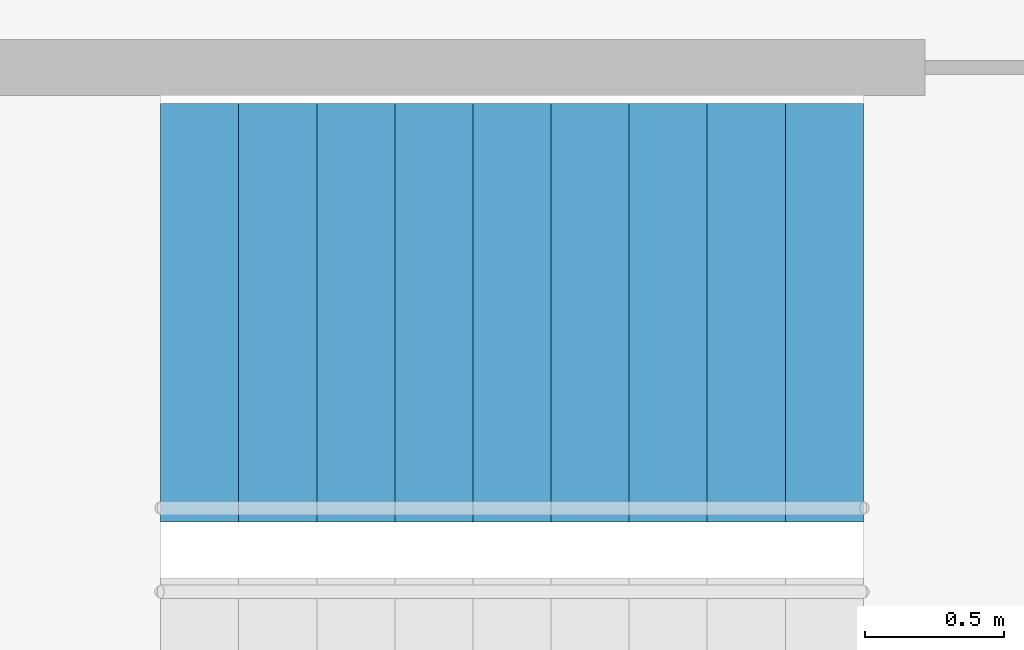
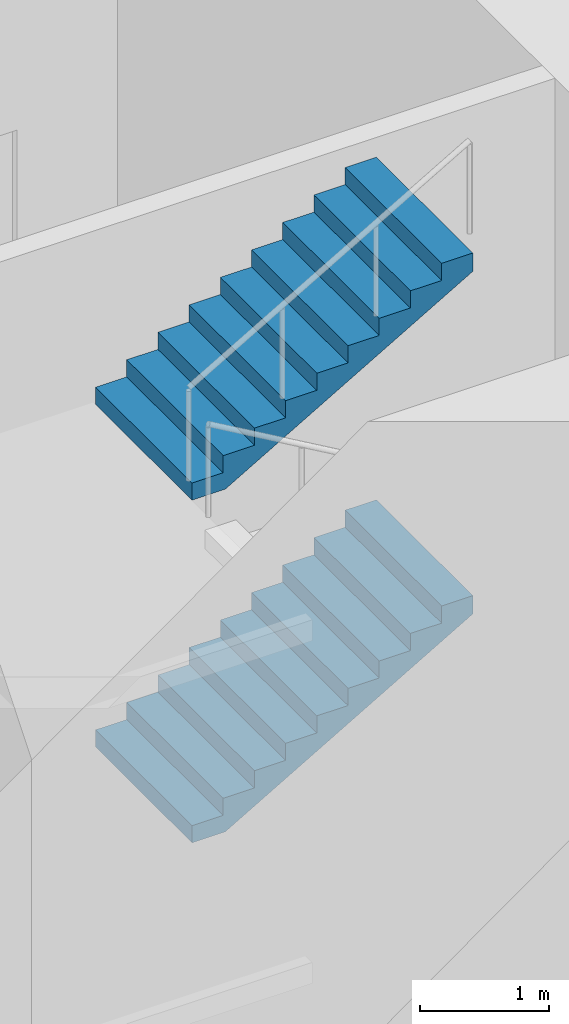
# One storey, part 28 of 47: 2 stair flights, 1 element without a shape of its own.
"""IFC4 building model written with IfcOpenShell, lengths in metres."""

from ifc_helpers import new_model, si_unit, direction, frame, origin, place, context, subcontext, project, spatial, triangles, material, type_object, element, aggregate, save


model = new_model("IFC4")

# Units and contexts
model_context = context("Model", 3, precision=1e-05, world=origin(), true_north=direction((0.0, 1.0)))
body_context = subcontext(model_context, "Body", "Model", "MODEL_VIEW")
ifc_project = project(units=[si_unit("LENGTHUNIT", "METRE"), si_unit("AREAUNIT", "SQUARE_METRE"), si_unit("VOLUMEUNIT", "CUBIC_METRE"), si_unit("PLANEANGLEUNIT", "RADIAN"), si_unit("MASSUNIT", "GRAM", prefix="KILO")], contexts=[model_context])

# Site, building, storey
site_placement = place(None, origin())
site = spatial("IfcSite", under=ifc_project, at=site_placement, CompositionType="ELEMENT")
building_placement = place(site_placement, origin())
building = spatial("IfcBuilding", under=site, at=building_placement, Name="Lantaw Convention Tower", CompositionType="ELEMENT")
storey_placement = place(building_placement, origin())
storey = spatial("IfcBuildingStorey", under=building, at=storey_placement, Name="L00", CompositionType="ELEMENT", Elevation=0.0)

# Stair, stair flights
ifc_material = material(Name="Concrete C35/45", Category="concrete")
stair_type = type_object("IfcStairType", Name="Exit stair 1500 riser 162.5 in 4 flights", PredefinedType="HALF_TURN_STAIR", material=ifc_material)
stair_placement = place(storey_placement, origin())
stair = element("IfcStair", 1, at=stair_placement, inside=storey, type_object=stair_type, Name="Exit stair S2 L00", PredefinedType="HALF_TURN_STAIR")
stair_flight_type = type_object("IfcStairFlightType", Name="Stair flight 1500 riser 162.5", PredefinedType="STRAIGHT", material=ifc_material)
stair_flight_1_placement = place(storey_placement, frame((8.06005859375, -4.280029296875, 1.625), z_axis=(0.0, 0.0, 1.0), x_axis=(1.0, 0.0, 0.0)))
stair_flight_1 = element("IfcStairFlight", 2, at=stair_flight_1_placement, type_object=stair_flight_type, Name="S2 flight 2", NumberOfRisers=10, NumberOfTreads=9, PredefinedType="STRAIGHT", RiserHeight=0.1625, TreadLength=0.28, context=body_context, shape_type="Tessellation", body=[
    triangles([(0.0, 0.75, 0.0), (0.0, 0.75, 0.1625), (0.28, 0.75, 0.0), (0.28, 0.75, 0.1625), (0.28, 0.75, 0.325), (0.2986404620805123, 0.75, 0.0), (0.2986404620805123, 0.75, 0.325), (0.56, 0.75, 0.15168187468541697), (0.56, 0.75, 0.325), (0.56, 0.75, 0.48750000000000004), (0.8400000000000001, 0.75, 0.314181874685417), (0.8400000000000001, 0.75, 0.48750000000000004), (0.8400000000000001, 0.75, 0.65), (1.12, 0.75, 0.47668187468541695), (1.12, 0.75, 0.65), (1.12, 0.75, 0.8125), (1.4000000000000001, 0.75, 0.639181874685417), (1.4000000000000001, 0.75, 0.8125), (1.4000000000000001, 0.75, 0.9750000000000001), (1.6800000000000002, 0.75, 0.801681874685417), (1.6800000000000002, 0.75, 0.9750000000000001), (1.6800000000000002, 0.75, 1.1375), (1.9600000000000002, 0.75, 0.9641818746854169), (1.9600000000000002, 0.75, 1.1375), (1.9600000000000002, 0.75, 1.3), (2.24, 0.75, 1.126681874685417), (2.24, 0.75, 1.3), (2.24, 0.75, 1.4625000000000001), (2.5200000000000005, 0.75, 1.2891818746854171), (2.5200000000000005, 0.75, 1.4625000000000001), (0.0, -0.75, 0.0), (0.0, -0.75, 0.1625), (0.28, -0.75, 0.0), (0.28, -0.75, 0.1625), (0.28, -0.75, 0.325), (0.2986404620805123, -0.75, 0.0), (0.2986404620805123, -0.75, 0.325), (0.56, -0.75, 0.15168187468541697), (0.56, -0.75, 0.325), (0.56, -0.75, 0.48750000000000004), (0.8400000000000001, -0.75, 0.314181874685417), (0.8400000000000001, -0.75, 0.48750000000000004), (0.8400000000000001, -0.75, 0.65), (1.12, -0.75, 0.47668187468541695), (1.12, -0.75, 0.65), (1.12, -0.75, 0.8125), (1.4000000000000001, -0.75, 0.639181874685417), (1.4000000000000001, -0.75, 0.8125), (1.4000000000000001, -0.75, 0.9750000000000001), (1.6800000000000002, -0.75, 0.801681874685417), (1.6800000000000002, -0.75, 0.9750000000000001), (1.6800000000000002, -0.75, 1.1375), (1.9600000000000002, -0.75, 0.9641818746854169), (1.9600000000000002, -0.75, 1.1375), (1.9600000000000002, -0.75, 1.3), (2.24, -0.75, 1.126681874685417), (2.24, -0.75, 1.3), (2.24, -0.75, 1.4625000000000001), (2.5200000000000005, -0.75, 1.2891818746854171), (2.5200000000000005, -0.75, 1.4625000000000001), (0.0, 0.15000000000000002, 0.1625), (0.0, 0.15000000000000002, 0.0), (0.0, 0.0, 0.1625), (0.0, 0.0, 0.0), (0.0, -0.15000000000000002, 0.1625), (0.0, -0.15000000000000002, 0.0), (0.28, 0.15000000000000002, 0.325), (0.28, 0.15000000000000002, 0.1625), (0.28, 0.0, 0.325), (0.28, 0.0, 0.1625), (0.28, -0.15000000000000002, 0.325), (0.28, -0.15000000000000002, 0.1625), (0.56, 0.15000000000000002, 0.48750000000000004), (0.56, 0.15000000000000002, 0.325), (0.56, 0.0, 0.48750000000000004), (0.56, 0.0, 0.325), (0.56, -0.15000000000000002, 0.48750000000000004), (0.56, -0.15000000000000002, 0.325), (0.8400000000000001, 0.15000000000000002, 0.65), (0.8400000000000001, 0.15000000000000002, 0.48750000000000004), (0.8400000000000001, 0.0, 0.65), (0.8400000000000001, 0.0, 0.48750000000000004), (0.8400000000000001, -0.15000000000000002, 0.65), (0.8400000000000001, -0.15000000000000002, 0.48750000000000004), (1.12, 0.15000000000000002, 0.8125), (1.12, 0.15000000000000002, 0.65), (1.12, 0.0, 0.8125), (1.12, 0.0, 0.65), (1.12, -0.15000000000000002, 0.8125), (1.12, -0.15000000000000002, 0.65), (1.4000000000000001, 0.15000000000000002, 0.9750000000000001), (1.4000000000000001, 0.15000000000000002, 0.8125), (1.4000000000000001, 0.0, 0.9750000000000001), (1.4000000000000001, 0.0, 0.8125), (1.4000000000000001, -0.15000000000000002, 0.9750000000000001), (1.4000000000000001, -0.15000000000000002, 0.8125), (1.6800000000000002, 0.15000000000000002, 1.1375), (1.6800000000000002, 0.15000000000000002, 0.9750000000000001), (1.6800000000000002, 0.0, 1.1375), (1.6800000000000002, 0.0, 0.9750000000000001), (1.6800000000000002, -0.15000000000000002, 1.1375), (1.6800000000000002, -0.15000000000000002, 0.9750000000000001), (1.9600000000000002, 0.15000000000000002, 1.3), (1.9600000000000002, 0.15000000000000002, 1.1375), (1.9600000000000002, 0.0, 1.3), (1.9600000000000002, 0.0, 1.1375), (1.9600000000000002, -0.15000000000000002, 1.3), (1.9600000000000002, -0.15000000000000002, 1.1375), (2.24, 0.15000000000000002, 1.4625000000000001), (2.24, 0.15000000000000002, 1.3), (2.24, 0.0, 1.4625000000000001), (2.24, 0.0, 1.3), (2.24, -0.15000000000000002, 1.4625000000000001), (2.24, -0.15000000000000002, 1.3), (0.2986404620805123, 0.15000000000000002, 0.325), (0.2986404620805123, 0.0, 0.325), (0.2986404620805123, -0.15000000000000002, 0.325), (2.5200000000000005, 0.15000000000000002, 1.4625000000000001), (2.5200000000000005, 0.0, 1.4625000000000001), (2.5200000000000005, -0.15000000000000002, 1.4625000000000001), (2.5200000000000005, 0.15000000000000002, 1.2891818746854171), (2.5200000000000005, 0.0, 1.2891818746854171), (2.5200000000000005, -0.15000000000000002, 1.2891818746854171), (2.24, 0.15000000000000002, 1.126681874685417), (2.24, 0.0, 1.126681874685417), (2.24, -0.15000000000000002, 1.126681874685417), (1.9600000000000002, 0.15000000000000002, 0.9641818746854169), (1.9600000000000002, 0.0, 0.9641818746854169), (1.9600000000000002, -0.15000000000000002, 0.9641818746854169), (1.6800000000000002, 0.15000000000000002, 0.801681874685417), (1.6800000000000002, 0.0, 0.801681874685417), (1.6800000000000002, -0.15000000000000002, 0.801681874685417), (1.4000000000000001, 0.15000000000000002, 0.639181874685417), (1.4000000000000001, 0.0, 0.639181874685417), (1.4000000000000001, -0.15000000000000002, 0.639181874685417), (1.12, 0.15000000000000002, 0.47668187468541695), (1.12, 0.0, 0.47668187468541695), (1.12, -0.15000000000000002, 0.47668187468541695), (0.8400000000000001, 0.15000000000000002, 0.314181874685417), (0.8400000000000001, 0.0, 0.314181874685417), (0.8400000000000001, -0.15000000000000002, 0.314181874685417), (0.56, 0.15000000000000002, 0.15168187468541697), (0.56, 0.0, 0.15168187468541697), (0.56, -0.15000000000000002, 0.15168187468541697), (0.2986404620805123, 0.15000000000000002, 0.0), (0.2986404620805123, 0.0, 0.0), (0.2986404620805123, -0.15000000000000002, 0.0), (0.28, 0.15000000000000002, 0.0), (0.28, 0.0, 0.0), (0.28, -0.15000000000000002, 0.0)], [[1, 4, 3], [1, 2, 4], [3, 4, 6], [4, 7, 6], [4, 5, 7], [6, 9, 8], [6, 7, 9], [8, 9, 11], [9, 12, 11], [9, 10, 12], [11, 12, 14], [12, 15, 14], [12, 13, 15], [14, 15, 17], [15, 18, 17], [15, 16, 18], [17, 18, 20], [18, 21, 20], [18, 19, 21], [20, 21, 23], [21, 24, 23], [21, 22, 24], [23, 24, 26], [24, 27, 26], [24, 25, 27], [26, 27, 29], [27, 30, 29], [27, 28, 30], [31, 33, 34], [31, 34, 32], [33, 36, 34], [34, 36, 37], [34, 37, 35], [36, 38, 39], [36, 39, 37], [38, 41, 39], [39, 41, 42], [39, 42, 40], [41, 44, 42], [42, 44, 45], [42, 45, 43], [44, 47, 45], [45, 47, 48], [45, 48, 46], [47, 50, 48], [48, 50, 51], [48, 51, 49], [50, 53, 51], [51, 53, 54], [51, 54, 52], [53, 56, 54], [54, 56, 57], [54, 57, 55], [56, 59, 57], [57, 59, 60], [57, 60, 58], [1, 61, 2], [1, 62, 61], [62, 63, 61], [62, 64, 63], [64, 65, 63], [64, 66, 65], [66, 32, 65], [66, 31, 32], [4, 67, 5], [4, 68, 67], [68, 69, 67], [68, 70, 69], [70, 71, 69], [70, 72, 71], [72, 35, 71], [72, 34, 35], [9, 73, 10], [9, 74, 73], [74, 75, 73], [74, 76, 75], [76, 77, 75], [76, 78, 77], [78, 40, 77], [78, 39, 40], [12, 79, 13], [12, 80, 79], [80, 81, 79], [80, 82, 81], [82, 83, 81], [82, 84, 83], [84, 43, 83], [84, 42, 43], [15, 85, 16], [15, 86, 85], [86, 87, 85], [86, 88, 87], [88, 89, 87], [88, 90, 89], [90, 46, 89], [90, 45, 46], [18, 91, 19], [18, 92, 91], [92, 93, 91], [92, 94, 93], [94, 95, 93], [94, 96, 95], [96, 49, 95], [96, 48, 49], [21, 97, 22], [21, 98, 97], [98, 99, 97], [98, 100, 99], [100, 101, 99], [100, 102, 101], [102, 52, 101], [102, 51, 52], [24, 103, 25], [24, 104, 103], [104, 105, 103], [104, 106, 105], [106, 107, 105], [106, 108, 107], [108, 55, 107], [108, 54, 55], [27, 109, 28], [27, 110, 109], [110, 111, 109], [110, 112, 111], [112, 113, 111], [112, 114, 113], [114, 58, 113], [114, 57, 58], [2, 68, 4], [2, 61, 68], [61, 70, 68], [61, 63, 70], [63, 72, 70], [63, 65, 72], [65, 34, 72], [65, 32, 34], [5, 115, 7], [5, 67, 115], [67, 116, 115], [67, 69, 116], [69, 117, 116], [69, 71, 117], [71, 37, 117], [71, 35, 37], [7, 74, 9], [7, 115, 74], [115, 76, 74], [115, 116, 76], [116, 78, 76], [116, 117, 78], [117, 39, 78], [117, 37, 39], [10, 80, 12], [10, 73, 80], [73, 82, 80], [73, 75, 82], [75, 84, 82], [75, 77, 84], [77, 42, 84], [77, 40, 42], [13, 86, 15], [13, 79, 86], [79, 88, 86], [79, 81, 88], [81, 90, 88], [81, 83, 90], [83, 45, 90], [83, 43, 45], [16, 92, 18], [16, 85, 92], [85, 94, 92], [85, 87, 94], [87, 96, 94], [87, 89, 96], [89, 48, 96], [89, 46, 48], [19, 98, 21], [19, 91, 98], [91, 100, 98], [91, 93, 100], [93, 102, 100], [93, 95, 102], [95, 51, 102], [95, 49, 51], [22, 104, 24], [22, 97, 104], [97, 106, 104], [97, 99, 106], [99, 108, 106], [99, 101, 108], [101, 54, 108], [101, 52, 54], [25, 110, 27], [25, 103, 110], [103, 112, 110], [103, 105, 112], [105, 114, 112], [105, 107, 114], [107, 57, 114], [107, 55, 57], [28, 118, 30], [28, 109, 118], [109, 119, 118], [109, 111, 119], [111, 120, 119], [111, 113, 120], [113, 60, 120], [113, 58, 60], [30, 121, 29], [30, 118, 121], [118, 122, 121], [118, 119, 122], [119, 123, 122], [119, 120, 123], [120, 59, 123], [120, 60, 59], [29, 124, 26], [29, 121, 124], [121, 125, 124], [121, 122, 125], [122, 126, 125], [122, 123, 126], [123, 56, 126], [123, 59, 56], [26, 127, 23], [26, 124, 127], [124, 128, 127], [124, 125, 128], [125, 129, 128], [125, 126, 129], [126, 53, 129], [126, 56, 53], [23, 130, 20], [23, 127, 130], [127, 131, 130], [127, 128, 131], [128, 132, 131], [128, 129, 132], [129, 50, 132], [129, 53, 50], [20, 133, 17], [20, 130, 133], [130, 134, 133], [130, 131, 134], [131, 135, 134], [131, 132, 135], [132, 47, 135], [132, 50, 47], [17, 136, 14], [17, 133, 136], [133, 137, 136], [133, 134, 137], [134, 138, 137], [134, 135, 138], [135, 44, 138], [135, 47, 44], [14, 139, 11], [14, 136, 139], [136, 140, 139], [136, 137, 140], [137, 141, 140], [137, 138, 141], [138, 41, 141], [138, 44, 41], [11, 142, 8], [11, 139, 142], [139, 143, 142], [139, 140, 143], [140, 144, 143], [140, 141, 144], [141, 38, 144], [141, 41, 38], [8, 145, 6], [8, 142, 145], [142, 146, 145], [142, 143, 146], [143, 147, 146], [143, 144, 147], [144, 36, 147], [144, 38, 36], [6, 148, 3], [6, 145, 148], [145, 149, 148], [145, 146, 149], [146, 150, 149], [146, 147, 150], [147, 33, 150], [147, 36, 33], [3, 62, 1], [3, 148, 62], [148, 64, 62], [148, 149, 64], [149, 66, 64], [149, 150, 66], [150, 31, 66], [150, 33, 31]], closed=True),
])
stair_flight_2_placement = place(storey_placement, frame((8.06005859375, -4.280029296875, 4.875), z_axis=(0.0, 0.0, 1.0), x_axis=(1.0, 0.0, 0.0)))
stair_flight_2 = element("IfcStairFlight", 3, at=stair_flight_2_placement, type_object=stair_flight_type, Name="S2 flight 4", NumberOfRisers=10, NumberOfTreads=9, PredefinedType="STRAIGHT", RiserHeight=0.1625, TreadLength=0.28, context=body_context, shape_type="Tessellation", body=[
    triangles([(0.0, 0.75, 0.0), (0.0, 0.75, 0.1625), (0.28, 0.75, 0.0), (0.28, 0.75, 0.1625), (0.28, 0.75, 0.325), (0.2986404620805123, 0.75, 0.0), (0.2986404620805123, 0.75, 0.325), (0.56, 0.75, 0.15168187468541697), (0.56, 0.75, 0.325), (0.56, 0.75, 0.48750000000000004), (0.8400000000000001, 0.75, 0.314181874685417), (0.8400000000000001, 0.75, 0.48750000000000004), (0.8400000000000001, 0.75, 0.65), (1.12, 0.75, 0.47668187468541695), (1.12, 0.75, 0.65), (1.12, 0.75, 0.8125), (1.4000000000000001, 0.75, 0.639181874685417), (1.4000000000000001, 0.75, 0.8125), (1.4000000000000001, 0.75, 0.9750000000000001), (1.6800000000000002, 0.75, 0.801681874685417), (1.6800000000000002, 0.75, 0.9750000000000001), (1.6800000000000002, 0.75, 1.1375), (1.9600000000000002, 0.75, 0.9641818746854169), (1.9600000000000002, 0.75, 1.1375), (1.9600000000000002, 0.75, 1.3), (2.24, 0.75, 1.126681874685417), (2.24, 0.75, 1.3), (2.24, 0.75, 1.4625000000000001), (2.5200000000000005, 0.75, 1.2891818746854171), (2.5200000000000005, 0.75, 1.4625000000000001), (0.0, -0.75, 0.0), (0.0, -0.75, 0.1625), (0.28, -0.75, 0.0), (0.28, -0.75, 0.1625), (0.28, -0.75, 0.325), (0.2986404620805123, -0.75, 0.0), (0.2986404620805123, -0.75, 0.325), (0.56, -0.75, 0.15168187468541697), (0.56, -0.75, 0.325), (0.56, -0.75, 0.48750000000000004), (0.8400000000000001, -0.75, 0.314181874685417), (0.8400000000000001, -0.75, 0.48750000000000004), (0.8400000000000001, -0.75, 0.65), (1.12, -0.75, 0.47668187468541695), (1.12, -0.75, 0.65), (1.12, -0.75, 0.8125), (1.4000000000000001, -0.75, 0.639181874685417), (1.4000000000000001, -0.75, 0.8125), (1.4000000000000001, -0.75, 0.9750000000000001), (1.6800000000000002, -0.75, 0.801681874685417), (1.6800000000000002, -0.75, 0.9750000000000001), (1.6800000000000002, -0.75, 1.1375), (1.9600000000000002, -0.75, 0.9641818746854169), (1.9600000000000002, -0.75, 1.1375), (1.9600000000000002, -0.75, 1.3), (2.24, -0.75, 1.126681874685417), (2.24, -0.75, 1.3), (2.24, -0.75, 1.4625000000000001), (2.5200000000000005, -0.75, 1.2891818746854171), (2.5200000000000005, -0.75, 1.4625000000000001), (0.0, 0.15000000000000002, 0.1625), (0.0, 0.15000000000000002, 0.0), (0.0, 0.0, 0.1625), (0.0, 0.0, 0.0), (0.0, -0.15000000000000002, 0.1625), (0.0, -0.15000000000000002, 0.0), (0.28, 0.15000000000000002, 0.325), (0.28, 0.15000000000000002, 0.1625), (0.28, 0.0, 0.325), (0.28, 0.0, 0.1625), (0.28, -0.15000000000000002, 0.325), (0.28, -0.15000000000000002, 0.1625), (0.56, 0.15000000000000002, 0.48750000000000004), (0.56, 0.15000000000000002, 0.325), (0.56, 0.0, 0.48750000000000004), (0.56, 0.0, 0.325), (0.56, -0.15000000000000002, 0.48750000000000004), (0.56, -0.15000000000000002, 0.325), (0.8400000000000001, 0.15000000000000002, 0.65), (0.8400000000000001, 0.15000000000000002, 0.48750000000000004), (0.8400000000000001, 0.0, 0.65), (0.8400000000000001, 0.0, 0.48750000000000004), (0.8400000000000001, -0.15000000000000002, 0.65), (0.8400000000000001, -0.15000000000000002, 0.48750000000000004), (1.12, 0.15000000000000002, 0.8125), (1.12, 0.15000000000000002, 0.65), (1.12, 0.0, 0.8125), (1.12, 0.0, 0.65), (1.12, -0.15000000000000002, 0.8125), (1.12, -0.15000000000000002, 0.65), (1.4000000000000001, 0.15000000000000002, 0.9750000000000001), (1.4000000000000001, 0.15000000000000002, 0.8125), (1.4000000000000001, 0.0, 0.9750000000000001), (1.4000000000000001, 0.0, 0.8125), (1.4000000000000001, -0.15000000000000002, 0.9750000000000001), (1.4000000000000001, -0.15000000000000002, 0.8125), (1.6800000000000002, 0.15000000000000002, 1.1375), (1.6800000000000002, 0.15000000000000002, 0.9750000000000001), (1.6800000000000002, 0.0, 1.1375), (1.6800000000000002, 0.0, 0.9750000000000001), (1.6800000000000002, -0.15000000000000002, 1.1375), (1.6800000000000002, -0.15000000000000002, 0.9750000000000001), (1.9600000000000002, 0.15000000000000002, 1.3), (1.9600000000000002, 0.15000000000000002, 1.1375), (1.9600000000000002, 0.0, 1.3), (1.9600000000000002, 0.0, 1.1375), (1.9600000000000002, -0.15000000000000002, 1.3), (1.9600000000000002, -0.15000000000000002, 1.1375), (2.24, 0.15000000000000002, 1.4625000000000001), (2.24, 0.15000000000000002, 1.3), (2.24, 0.0, 1.4625000000000001), (2.24, 0.0, 1.3), (2.24, -0.15000000000000002, 1.4625000000000001), (2.24, -0.15000000000000002, 1.3), (0.2986404620805123, 0.15000000000000002, 0.325), (0.2986404620805123, 0.0, 0.325), (0.2986404620805123, -0.15000000000000002, 0.325), (2.5200000000000005, 0.15000000000000002, 1.4625000000000001), (2.5200000000000005, 0.0, 1.4625000000000001), (2.5200000000000005, -0.15000000000000002, 1.4625000000000001), (2.5200000000000005, 0.15000000000000002, 1.2891818746854171), (2.5200000000000005, 0.0, 1.2891818746854171), (2.5200000000000005, -0.15000000000000002, 1.2891818746854171), (2.24, 0.15000000000000002, 1.126681874685417), (2.24, 0.0, 1.126681874685417), (2.24, -0.15000000000000002, 1.126681874685417), (1.9600000000000002, 0.15000000000000002, 0.9641818746854169), (1.9600000000000002, 0.0, 0.9641818746854169), (1.9600000000000002, -0.15000000000000002, 0.9641818746854169), (1.6800000000000002, 0.15000000000000002, 0.801681874685417), (1.6800000000000002, 0.0, 0.801681874685417), (1.6800000000000002, -0.15000000000000002, 0.801681874685417), (1.4000000000000001, 0.15000000000000002, 0.639181874685417), (1.4000000000000001, 0.0, 0.639181874685417), (1.4000000000000001, -0.15000000000000002, 0.639181874685417), (1.12, 0.15000000000000002, 0.47668187468541695), (1.12, 0.0, 0.47668187468541695), (1.12, -0.15000000000000002, 0.47668187468541695), (0.8400000000000001, 0.15000000000000002, 0.314181874685417), (0.8400000000000001, 0.0, 0.314181874685417), (0.8400000000000001, -0.15000000000000002, 0.314181874685417), (0.56, 0.15000000000000002, 0.15168187468541697), (0.56, 0.0, 0.15168187468541697), (0.56, -0.15000000000000002, 0.15168187468541697), (0.2986404620805123, 0.15000000000000002, 0.0), (0.2986404620805123, 0.0, 0.0), (0.2986404620805123, -0.15000000000000002, 0.0), (0.28, 0.15000000000000002, 0.0), (0.28, 0.0, 0.0), (0.28, -0.15000000000000002, 0.0)], [[1, 4, 3], [1, 2, 4], [3, 4, 6], [4, 7, 6], [4, 5, 7], [6, 9, 8], [6, 7, 9], [8, 9, 11], [9, 12, 11], [9, 10, 12], [11, 12, 14], [12, 15, 14], [12, 13, 15], [14, 15, 17], [15, 18, 17], [15, 16, 18], [17, 18, 20], [18, 21, 20], [18, 19, 21], [20, 21, 23], [21, 24, 23], [21, 22, 24], [23, 24, 26], [24, 27, 26], [24, 25, 27], [26, 27, 29], [27, 30, 29], [27, 28, 30], [31, 33, 34], [31, 34, 32], [33, 36, 34], [34, 36, 37], [34, 37, 35], [36, 38, 39], [36, 39, 37], [38, 41, 39], [39, 41, 42], [39, 42, 40], [41, 44, 42], [42, 44, 45], [42, 45, 43], [44, 47, 45], [45, 47, 48], [45, 48, 46], [47, 50, 48], [48, 50, 51], [48, 51, 49], [50, 53, 51], [51, 53, 54], [51, 54, 52], [53, 56, 54], [54, 56, 57], [54, 57, 55], [56, 59, 57], [57, 59, 60], [57, 60, 58], [1, 61, 2], [1, 62, 61], [62, 63, 61], [62, 64, 63], [64, 65, 63], [64, 66, 65], [66, 32, 65], [66, 31, 32], [4, 67, 5], [4, 68, 67], [68, 69, 67], [68, 70, 69], [70, 71, 69], [70, 72, 71], [72, 35, 71], [72, 34, 35], [9, 73, 10], [9, 74, 73], [74, 75, 73], [74, 76, 75], [76, 77, 75], [76, 78, 77], [78, 40, 77], [78, 39, 40], [12, 79, 13], [12, 80, 79], [80, 81, 79], [80, 82, 81], [82, 83, 81], [82, 84, 83], [84, 43, 83], [84, 42, 43], [15, 85, 16], [15, 86, 85], [86, 87, 85], [86, 88, 87], [88, 89, 87], [88, 90, 89], [90, 46, 89], [90, 45, 46], [18, 91, 19], [18, 92, 91], [92, 93, 91], [92, 94, 93], [94, 95, 93], [94, 96, 95], [96, 49, 95], [96, 48, 49], [21, 97, 22], [21, 98, 97], [98, 99, 97], [98, 100, 99], [100, 101, 99], [100, 102, 101], [102, 52, 101], [102, 51, 52], [24, 103, 25], [24, 104, 103], [104, 105, 103], [104, 106, 105], [106, 107, 105], [106, 108, 107], [108, 55, 107], [108, 54, 55], [27, 109, 28], [27, 110, 109], [110, 111, 109], [110, 112, 111], [112, 113, 111], [112, 114, 113], [114, 58, 113], [114, 57, 58], [2, 68, 4], [2, 61, 68], [61, 70, 68], [61, 63, 70], [63, 72, 70], [63, 65, 72], [65, 34, 72], [65, 32, 34], [5, 115, 7], [5, 67, 115], [67, 116, 115], [67, 69, 116], [69, 117, 116], [69, 71, 117], [71, 37, 117], [71, 35, 37], [7, 74, 9], [7, 115, 74], [115, 76, 74], [115, 116, 76], [116, 78, 76], [116, 117, 78], [117, 39, 78], [117, 37, 39], [10, 80, 12], [10, 73, 80], [73, 82, 80], [73, 75, 82], [75, 84, 82], [75, 77, 84], [77, 42, 84], [77, 40, 42], [13, 86, 15], [13, 79, 86], [79, 88, 86], [79, 81, 88], [81, 90, 88], [81, 83, 90], [83, 45, 90], [83, 43, 45], [16, 92, 18], [16, 85, 92], [85, 94, 92], [85, 87, 94], [87, 96, 94], [87, 89, 96], [89, 48, 96], [89, 46, 48], [19, 98, 21], [19, 91, 98], [91, 100, 98], [91, 93, 100], [93, 102, 100], [93, 95, 102], [95, 51, 102], [95, 49, 51], [22, 104, 24], [22, 97, 104], [97, 106, 104], [97, 99, 106], [99, 108, 106], [99, 101, 108], [101, 54, 108], [101, 52, 54], [25, 110, 27], [25, 103, 110], [103, 112, 110], [103, 105, 112], [105, 114, 112], [105, 107, 114], [107, 57, 114], [107, 55, 57], [28, 118, 30], [28, 109, 118], [109, 119, 118], [109, 111, 119], [111, 120, 119], [111, 113, 120], [113, 60, 120], [113, 58, 60], [30, 121, 29], [30, 118, 121], [118, 122, 121], [118, 119, 122], [119, 123, 122], [119, 120, 123], [120, 59, 123], [120, 60, 59], [29, 124, 26], [29, 121, 124], [121, 125, 124], [121, 122, 125], [122, 126, 125], [122, 123, 126], [123, 56, 126], [123, 59, 56], [26, 127, 23], [26, 124, 127], [124, 128, 127], [124, 125, 128], [125, 129, 128], [125, 126, 129], [126, 53, 129], [126, 56, 53], [23, 130, 20], [23, 127, 130], [127, 131, 130], [127, 128, 131], [128, 132, 131], [128, 129, 132], [129, 50, 132], [129, 53, 50], [20, 133, 17], [20, 130, 133], [130, 134, 133], [130, 131, 134], [131, 135, 134], [131, 132, 135], [132, 47, 135], [132, 50, 47], [17, 136, 14], [17, 133, 136], [133, 137, 136], [133, 134, 137], [134, 138, 137], [134, 135, 138], [135, 44, 138], [135, 47, 44], [14, 139, 11], [14, 136, 139], [136, 140, 139], [136, 137, 140], [137, 141, 140], [137, 138, 141], [138, 41, 141], [138, 44, 41], [11, 142, 8], [11, 139, 142], [139, 143, 142], [139, 140, 143], [140, 144, 143], [140, 141, 144], [141, 38, 144], [141, 41, 38], [8, 145, 6], [8, 142, 145], [142, 146, 145], [142, 143, 146], [143, 147, 146], [143, 144, 147], [144, 36, 147], [144, 38, 36], [6, 148, 3], [6, 145, 148], [145, 149, 148], [145, 146, 149], [146, 150, 149], [146, 147, 150], [147, 33, 150], [147, 36, 33], [3, 62, 1], [3, 148, 62], [148, 64, 62], [148, 149, 64], [149, 66, 64], [149, 150, 66], [150, 31, 66], [150, 33, 31]], closed=True),
])
aggregate(stair, [stair_flight_1, stair_flight_2])

save(model, "model.ifc")
